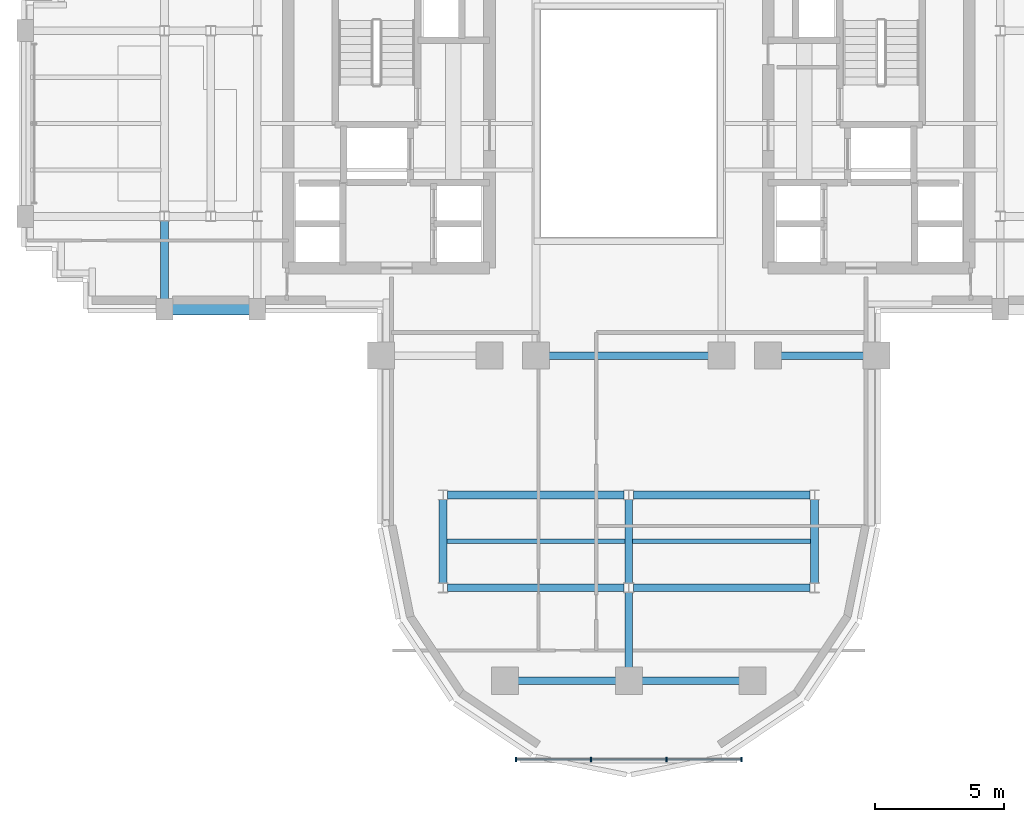
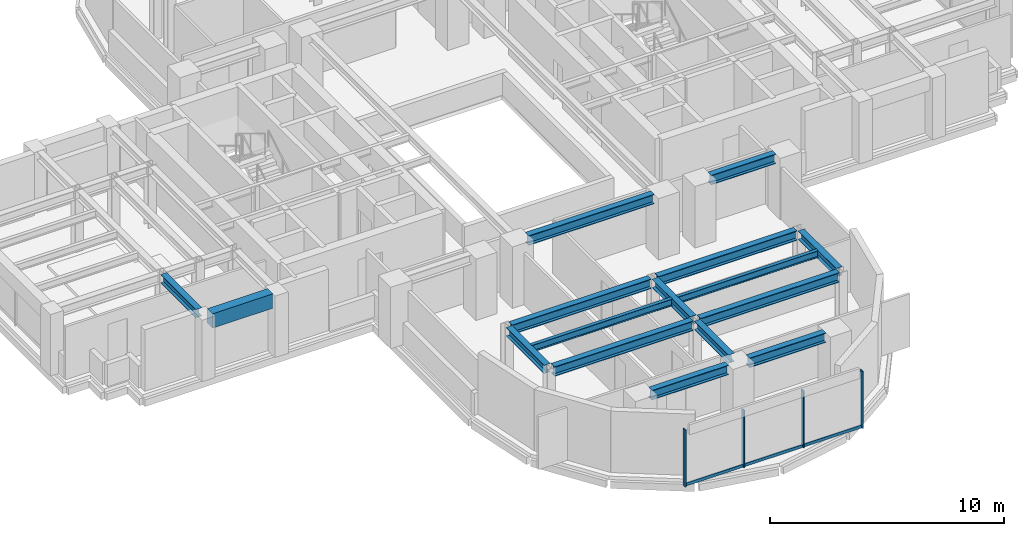
# One storey, part 3 of 13: 16 beams, 7 members, 1 element without a shape of its own.
"""IFC4 building model written with IfcOpenShell, lengths in metres."""

from ifc_helpers import new_model, si_unit, direction, frame, origin, origin_2d, place, context, subcontext, project, spatial, rectangle, i_section, extrude, source, transform, mapped, material, material_profile, profile_set, type_object, element, aggregate, save


model = new_model("IFC4")

# Units and contexts
model_context = context("Model", 3, precision=1e-05, world=origin(), true_north=direction((0.0, 1.0)))
body_context = subcontext(model_context, "Body", "Model", "MODEL_VIEW")
ifc_project = project(units=[si_unit("LENGTHUNIT", "METRE"), si_unit("AREAUNIT", "SQUARE_METRE"), si_unit("VOLUMEUNIT", "CUBIC_METRE"), si_unit("PLANEANGLEUNIT", "RADIAN"), si_unit("MASSUNIT", "GRAM", prefix="KILO")], contexts=[model_context])

# Site, building, storey
site_placement = place(None, origin())
site = spatial("IfcSite", under=ifc_project, at=site_placement, CompositionType="ELEMENT")
building_placement = place(site_placement, origin())
building = spatial("IfcBuilding", under=site, at=building_placement, Name="Keilestroom Media Tower", CompositionType="ELEMENT")
storey_placement = place(building_placement, frame((0.0, 0.0, 97.199951171875)))
storey = spatial("IfcBuildingStorey", under=building, at=storey_placement, Name="L25", CompositionType="ELEMENT", Elevation=97.199951171875)

# Beams
ifc_material_1 = material(Name="Steel S355", Category="steel")
ifc_material_profile_1 = material_profile(ifc_material_1, i_section(OverallWidth=0.169921875, OverallDepth=0.360107421875, WebThickness=0.008056640625, FlangeThickness=0.0126953125, at=origin_2d()), Name="IPE 360")
ifc_profile_set_1 = profile_set([ifc_material_profile_1], Name="Steel S355")
beam_type_1 = type_object("IfcBeamType", Name="Secondary-Floor-Joist-IPE-360", PredefinedType="JOIST", material=ifc_profile_set_1)
shared_shape_1 = source(origin(), body_context, "Body", "SweptSolid", [
    extrude(i_section(OverallWidth=0.169921875, OverallDepth=0.360107421875, WebThickness=0.008056640625, FlangeThickness=0.0126953125, at=origin_2d()), origin(), (0.0, 0.0, 1.0), 6.940185546875),
])
for number, where, z_axis, x_axis, name in (
    (1, (-7.070068359375, -16.199951171875, 3.02001953125), (1.0, 0.0, 0.0), (0.0, 1.0, 0.0), "L25 Beam BJ-5 JST-L25-069"),
    (2, (0.1298828125, -16.199951171875, 3.02001953125), (1.0, 0.0, 0.0), (0.0, 1.0, 0.0), "L25 Beam BJ-5 JST-L25-070"),
):
    element("IfcBeam", number, at=place(storey_placement, frame(where, z_axis=z_axis, x_axis=x_axis)), inside=storey, type_object=beam_type_1, Name=name, PredefinedType="JOIST", context=body_context, shape_type="MappedRepresentation", body=[
        mapped(shared_shape_1, transform((0.0, 0.0, 0.0), x_axis=(1.0, 0.0, 0.0), y_axis=(0.0, 1.0, 0.0), z_axis=(0.0, 0.0, 1.0), scale=1.0)),
    ])
ifc_material_profile_2 = material_profile(ifc_material_1, i_section(OverallWidth=0.300048828125, OverallDepth=0.5, WebThickness=0.012451171875, FlangeThickness=0.028076171875, at=origin_2d()), Name="HEB 500")
ifc_profile_set_2 = profile_set([ifc_material_profile_2], Name="Steel S355")
beam_type_2 = type_object("IfcBeamType", Name="Primary-Structural-Girder-HEB-500", PredefinedType="BEAM", material=ifc_profile_set_2)
shared_shape_2 = source(origin(), body_context, "Body", "SweptSolid", [
    extrude(i_section(OverallWidth=0.300048828125, OverallDepth=0.5, WebThickness=0.012451171875, FlangeThickness=0.028076171875, at=origin_2d()), origin(), (0.0, 0.0, 1.0), 3.7900390625),
])
for number, where, z_axis, x_axis, name in (
    (3, (-4.294921875, -21.60009765625, 2.949951171875), (1.0, 0.0, 0.0), (0.0, 1.0, 0.0), "L25 Beam BG-6 BM-L25-EW-001"),
    (4, (0.5048828125, -21.60009765625, 2.949951171875), (1.0, 0.0, 0.0), (0.0, 1.0, 0.0), "L25 Beam BG-6 BM-L25-EW-002"),
):
    element("IfcBeam", number, at=place(storey_placement, frame(where, z_axis=z_axis, x_axis=x_axis)), inside=storey, type_object=beam_type_2, Name=name, PredefinedType="BEAM", context=body_context, shape_type="MappedRepresentation", body=[
        mapped(shared_shape_2, transform((0.0, 0.0, 0.0), x_axis=(1.0, 0.0, 0.0), y_axis=(0.0, 1.0, 0.0), z_axis=(0.0, 0.0, 1.0), scale=1.0)),
    ])
shared_shape_3 = source(origin(), body_context, "Body", "SweptSolid", [
    extrude(i_section(OverallWidth=0.300048828125, OverallDepth=0.5, WebThickness=0.012451171875, FlangeThickness=0.028076171875, at=origin_2d()), origin(), (0.0, 0.0, 1.0), 6.839111328125),
])
for number, where, z_axis, x_axis, name in (
    (5, (-7.01953125, -18.0, 2.949951171875), (1.0, 0.0, 0.0), (0.0, 1.0, 0.0), "L25 Beam BG-6 BM-L25-EW-003"),
    (6, (0.180419921875, -18.0, 2.949951171875), (1.0, 0.0, 0.0), (0.0, 1.0, 0.0), "L25 Beam BG-6 BM-L25-EW-004"),
    (7, (-7.01953125, -14.39990234375, 2.949951171875), (1.0, 0.0, 0.0), (0.0, 1.0, 0.0), "L25 Beam BG-6 BM-L25-EW-005"),
    (8, (0.180419921875, -14.39990234375, 2.949951171875), (1.0, 0.0, 0.0), (0.0, 1.0, 0.0), "L25 Beam BG-6 BM-L25-EW-006"),
):
    element("IfcBeam", number, at=place(storey_placement, frame(where, z_axis=z_axis, x_axis=x_axis)), inside=storey, type_object=beam_type_2, Name=name, PredefinedType="BEAM", context=body_context, shape_type="MappedRepresentation", body=[
        mapped(shared_shape_3, transform((0.0, 0.0, 0.0), x_axis=(1.0, 0.0, 0.0), y_axis=(0.0, 1.0, 0.0), z_axis=(0.0, 0.0, 1.0), scale=1.0)),
    ])
shared_shape_4 = source(origin(), body_context, "Body", "SweptSolid", [
    extrude(i_section(OverallWidth=0.300048828125, OverallDepth=0.5, WebThickness=0.012451171875, FlangeThickness=0.028076171875, at=origin_2d()), origin(), (0.0, 0.0, 1.0), 3.18994140625),
])
beam_1_placement = place(storey_placement, frame((5.905029296875, -9.0, 2.949951171875), z_axis=(1.0, 0.0, 0.0), x_axis=(0.0, 1.0, 0.0)))
element("IfcBeam", 9, at=beam_1_placement, inside=storey, type_object=beam_type_2, Name="L25 Beam BG-6 BM-L25-EW-011", PredefinedType="BEAM", context=body_context, shape_type="MappedRepresentation", body=[
    mapped(shared_shape_4, transform((0.0, 0.0, 0.0), x_axis=(1.0, 0.0, 0.0), y_axis=(0.0, 1.0, 0.0), z_axis=(0.0, 0.0, 1.0), scale=1.0)),
])
shared_shape_5 = source(origin(), body_context, "Body", "SweptSolid", [
    extrude(i_section(OverallWidth=0.300048828125, OverallDepth=0.5, WebThickness=0.012451171875, FlangeThickness=0.028076171875, at=origin_2d()), origin(), (0.0, 0.0, 1.0), 6.18994140625),
])
beam_2_placement = place(storey_placement, frame((-3.094970703125, -9.0, 2.949951171875), z_axis=(1.0, 0.0, 0.0), x_axis=(0.0, 1.0, 0.0)))
element("IfcBeam", 10, at=beam_2_placement, inside=storey, type_object=beam_type_2, Name="L25 Beam BG-6 BM-L25-EW-009", PredefinedType="BEAM", context=body_context, shape_type="MappedRepresentation", body=[
    mapped(shared_shape_5, transform((0.0, 0.0, 0.0), x_axis=(1.0, 0.0, 0.0), y_axis=(0.0, 1.0, 0.0), z_axis=(0.0, 0.0, 1.0), scale=1.0)),
])
ifc_material_2 = material(Name="Precast concrete C40/50", Category="concrete")
ifc_material_profile_3 = material_profile(ifc_material_2, rectangle(XDim=0.449951171875, YDim=0.75, at=origin_2d()), Name="PC 450x750")
ifc_profile_set_3 = profile_set([ifc_material_profile_3], Name="Precast concrete C40/50")
beam_type_3 = type_object("IfcBeamType", Name="Perimeter-Spandrel-Beam-PC-450x750", PredefinedType="SPANDREL", material=ifc_profile_set_3)
shared_shape_6 = source(origin(), body_context, "Body", "SweptSolid", [
    extrude(rectangle(XDim=0.449951171875, YDim=0.75, at=origin_2d()), origin(), (0.0, 0.0, 1.0), 2.989990234375),
])
beam_3_placement = place(storey_placement, frame((-17.695068359375, -7.199951171875, 2.824951171875), z_axis=(1.0, 0.0, 0.0), x_axis=(0.0, 1.0, 0.0)))
element("IfcBeam", 11, at=beam_3_placement, inside=storey, type_object=beam_type_3, Name="L25 Beam SPB-1 BM-L25-EW-012", PredefinedType="SPANDREL", context=body_context, shape_type="MappedRepresentation", body=[
    mapped(shared_shape_6, transform((0.0, 0.0, 0.0), x_axis=(1.0, 0.0, 0.0), y_axis=(0.0, 1.0, 0.0), z_axis=(0.0, 0.0, 1.0), scale=1.0)),
])
ifc_material_profile_4 = material_profile(ifc_material_1, i_section(OverallWidth=0.300048828125, OverallDepth=0.43994140625, WebThickness=0.011474609375, FlangeThickness=0.02099609375, at=origin_2d()), Name="HEA 450")
ifc_profile_set_4 = profile_set([ifc_material_profile_4], Name="Steel S355")
beam_type_4 = type_object("IfcBeamType", Name="Primary-Structural-Girder-HEA-450", PredefinedType="BEAM", material=ifc_profile_set_4)
shared_shape_7 = source(origin(), body_context, "Body", "SweptSolid", [
    extrude(i_section(OverallWidth=0.300048828125, OverallDepth=0.43994140625, WebThickness=0.011474609375, FlangeThickness=0.02099609375, at=origin_2d()), origin(), (0.0, 0.0, 1.0), 3.015380859375),
])
beam_4_placement = place(storey_placement, frame((-18.0, -6.794921875, 2.97998046875), z_axis=(0.0, 1.0, 0.0), x_axis=(-1.0, 0.0, 0.0)))
element("IfcBeam", 12, at=beam_4_placement, inside=storey, type_object=beam_type_4, Name="L25 Beam BG-11 BM-L25-NS-040", PredefinedType="BEAM", context=body_context, shape_type="MappedRepresentation", body=[
    mapped(shared_shape_7, transform((0.0, 0.0, 0.0), x_axis=(1.0, 0.0, 0.0), y_axis=(0.0, 1.0, 0.0), z_axis=(0.0, 0.0, 1.0), scale=1.0)),
])
shared_shape_8 = source(origin(), body_context, "Body", "SweptSolid", [
    extrude(i_section(OverallWidth=0.300048828125, OverallDepth=0.43994140625, WebThickness=0.011474609375, FlangeThickness=0.02099609375, at=origin_2d()), origin(), (0.0, 0.0, 1.0), 3.240966796875),
])
for number, where, z_axis, x_axis, name in (
    (13, (-7.199951171875, -17.820556640625, 2.97998046875), (0.0, 1.0, 0.0), (-1.0, 0.0, 0.0), "L25 Beam BG-11 BM-L25-NS-048"),
    (14, (0.0, -17.820556640625, 2.97998046875), (0.0, 1.0, 0.0), (-1.0, 0.0, 0.0), "L25 Beam BG-11 BM-L25-NS-053"),
    (15, (7.199951171875, -17.820556640625, 2.97998046875), (0.0, 1.0, 0.0), (-1.0, 0.0, 0.0), "L25 Beam BG-11 BM-L25-NS-058"),
):
    element("IfcBeam", number, at=place(storey_placement, frame(where, z_axis=z_axis, x_axis=x_axis)), inside=storey, type_object=beam_type_4, Name=name, PredefinedType="BEAM", context=body_context, shape_type="MappedRepresentation", body=[
        mapped(shared_shape_8, transform((0.0, 0.0, 0.0), x_axis=(1.0, 0.0, 0.0), y_axis=(0.0, 1.0, 0.0), z_axis=(0.0, 0.0, 1.0), scale=1.0)),
    ])
shared_shape_9 = source(origin(), body_context, "Body", "SweptSolid", [
    extrude(i_section(OverallWidth=0.300048828125, OverallDepth=0.43994140625, WebThickness=0.011474609375, FlangeThickness=0.02099609375, at=origin_2d()), origin(), (0.0, 0.0, 1.0), 2.91552734375),
])
beam_5_placement = place(storey_placement, frame((0.0, -21.094970703125, 2.97998046875), z_axis=(0.0, 1.0, 0.0), x_axis=(-1.0, 0.0, 0.0)))
element("IfcBeam", 16, at=beam_5_placement, inside=storey, type_object=beam_type_4, Name="L25 Beam BG-11 BM-L25-NS-052", PredefinedType="BEAM", context=body_context, shape_type="MappedRepresentation", body=[
    mapped(shared_shape_9, transform((0.0, 0.0, 0.0), x_axis=(1.0, 0.0, 0.0), y_axis=(0.0, 1.0, 0.0), z_axis=(0.0, 0.0, 1.0), scale=1.0)),
])

# Curtain wall, members
ifc_material_3 = material(Name="Anodised Aluminium Alloy", Category="aluminium")
curtain_wall_type = type_object("IfcCurtainWallType", Name="Unitised-Curtain-Wall-CW-6", PredefinedType="NOTDEFINED", material=ifc_material_3)
curtain_wall_placement = place(storey_placement, origin())
curtain_wall = element("IfcCurtainWall", 17, at=curtain_wall_placement, inside=storey, type_object=curtain_wall_type, Name="L25 Curtain Wall CW-6 CW-L25-LS-1", PredefinedType="NOTDEFINED")
ifc_material_profile_5 = material_profile(ifc_material_3, rectangle(XDim=0.06494140625, YDim=0.179931640625, at=origin_2d()), Name="ALU MULLION 65x180")
ifc_profile_set_5 = profile_set([ifc_material_profile_5], Name="Anodised Aluminium Alloy")
member_type_1 = type_object("IfcMemberType", Name="Curtain-Wall-Mullion-CW-6", PredefinedType="MULLION", material=ifc_profile_set_5)
shared_shape_10 = source(origin(), body_context, "Body", "SweptSolid", [
    extrude(rectangle(XDim=0.06494140625, YDim=0.179931640625, at=origin_2d()), origin(), (0.0, 0.0, 1.0), 2.97998046875),
])
member_1_placement = place(storey_placement, frame((-4.367431640625, -24.64990234375, 0.0), z_axis=(0.0, 0.0, 1.0), x_axis=(1.0, 0.0, 0.0)))
member_1 = element("IfcMember", 18, at=member_1_placement, type_object=member_type_1, Name="CW-6 Mullion 00", PredefinedType="MULLION", context=body_context, shape_type="MappedRepresentation", body=[
    mapped(shared_shape_10, transform((0.0, 0.0, 0.0), x_axis=(1.0, 0.0, 0.0), y_axis=(0.0, 1.0, 0.0), z_axis=(0.0, 0.0, 1.0), scale=1.0)),
])
member_2_placement = place(storey_placement, frame((-1.466796875, -24.64990234375, 0.0), z_axis=(0.0, 0.0, 1.0), x_axis=(1.0, 0.0, 0.0)))
member_2 = element("IfcMember", 19, at=member_2_placement, type_object=member_type_1, Name="CW-6 Mullion 01", PredefinedType="MULLION", context=body_context, shape_type="MappedRepresentation", body=[
    mapped(shared_shape_10, transform((0.0, 0.0, 0.0), x_axis=(1.0, 0.0, 0.0), y_axis=(0.0, 1.0, 0.0), z_axis=(0.0, 0.0, 1.0), scale=1.0)),
])
member_3_placement = place(storey_placement, frame((1.466796875, -24.64990234375, 0.0), z_axis=(0.0, 0.0, 1.0), x_axis=(1.0, 0.0, 0.0)))
member_3 = element("IfcMember", 20, at=member_3_placement, type_object=member_type_1, Name="CW-6 Mullion 02", PredefinedType="MULLION", context=body_context, shape_type="MappedRepresentation", body=[
    mapped(shared_shape_10, transform((0.0, 0.0, 0.0), x_axis=(1.0, 0.0, 0.0), y_axis=(0.0, 1.0, 0.0), z_axis=(0.0, 0.0, 1.0), scale=1.0)),
])
member_4_placement = place(storey_placement, frame((4.367431640625, -24.64990234375, 0.0), z_axis=(0.0, 0.0, 1.0), x_axis=(1.0, 0.0, 0.0)))
member_4 = element("IfcMember", 21, at=member_4_placement, type_object=member_type_1, Name="CW-6 Mullion 03", PredefinedType="MULLION", context=body_context, shape_type="MappedRepresentation", body=[
    mapped(shared_shape_10, transform((0.0, 0.0, 0.0), x_axis=(1.0, 0.0, 0.0), y_axis=(0.0, 1.0, 0.0), z_axis=(0.0, 0.0, 1.0), scale=1.0)),
])
ifc_material_profile_6 = material_profile(ifc_material_3, rectangle(XDim=0.06494140625, YDim=0.14990234375, at=origin_2d()), Name="ALU TRANSOM 65x150")
ifc_profile_set_6 = profile_set([ifc_material_profile_6], Name="Anodised Aluminium Alloy")
member_type_2 = type_object("IfcMemberType", Name="Curtain-Wall-Transom-CW-6", PredefinedType="USERDEFINED", material=ifc_profile_set_6)
shared_shape_11 = source(origin(), body_context, "Body", "SweptSolid", [
    extrude(rectangle(XDim=0.06494140625, YDim=0.14990234375, at=origin_2d()), origin(), (0.0, 0.0, 1.0), 2.839599609375),
])
member_5_placement = place(storey_placement, frame((-4.3369140625, -24.64990234375, 0.074951171875), z_axis=(1.0, 0.0, 0.0), x_axis=(0.0, 1.0, 0.0)))
member_5 = element("IfcMember", 22, at=member_5_placement, type_object=member_type_2, Name="CW-6 Transom 00.1", ObjectType="TRANSOM", PredefinedType="USERDEFINED", context=body_context, shape_type="MappedRepresentation", body=[
    mapped(shared_shape_11, transform((0.0, 0.0, 0.0), x_axis=(1.0, 0.0, 0.0), y_axis=(0.0, 1.0, 0.0), z_axis=(0.0, 0.0, 1.0), scale=1.0)),
])
member_6_placement = place(storey_placement, frame((1.497314453125, -24.64990234375, 0.074951171875), z_axis=(1.0, 0.0, 0.0), x_axis=(0.0, 1.0, 0.0)))
member_6 = element("IfcMember", 23, at=member_6_placement, type_object=member_type_2, Name="CW-6 Transom 02.1", ObjectType="TRANSOM", PredefinedType="USERDEFINED", context=body_context, shape_type="MappedRepresentation", body=[
    mapped(shared_shape_11, transform((0.0, 0.0, 0.0), x_axis=(1.0, 0.0, 0.0), y_axis=(0.0, 1.0, 0.0), z_axis=(0.0, 0.0, 1.0), scale=1.0)),
])
shared_shape_12 = source(origin(), body_context, "Body", "SweptSolid", [
    extrude(rectangle(XDim=0.06494140625, YDim=0.14990234375, at=origin_2d()), origin(), (0.0, 0.0, 1.0), 2.87255859375),
])
member_7_placement = place(storey_placement, frame((-1.436279296875, -24.64990234375, 0.074951171875), z_axis=(1.0, 0.0, 0.0), x_axis=(0.0, 1.0, 0.0)))
member_7 = element("IfcMember", 24, at=member_7_placement, type_object=member_type_2, Name="CW-6 Transom 01.1", ObjectType="TRANSOM", PredefinedType="USERDEFINED", context=body_context, shape_type="MappedRepresentation", body=[
    mapped(shared_shape_12, transform((0.0, 0.0, 0.0), x_axis=(1.0, 0.0, 0.0), y_axis=(0.0, 1.0, 0.0), z_axis=(0.0, 0.0, 1.0), scale=1.0)),
])
aggregate(curtain_wall, [member_1, member_2, member_3, member_4, member_5, member_7, member_6])

save(model, "model.ifc")
